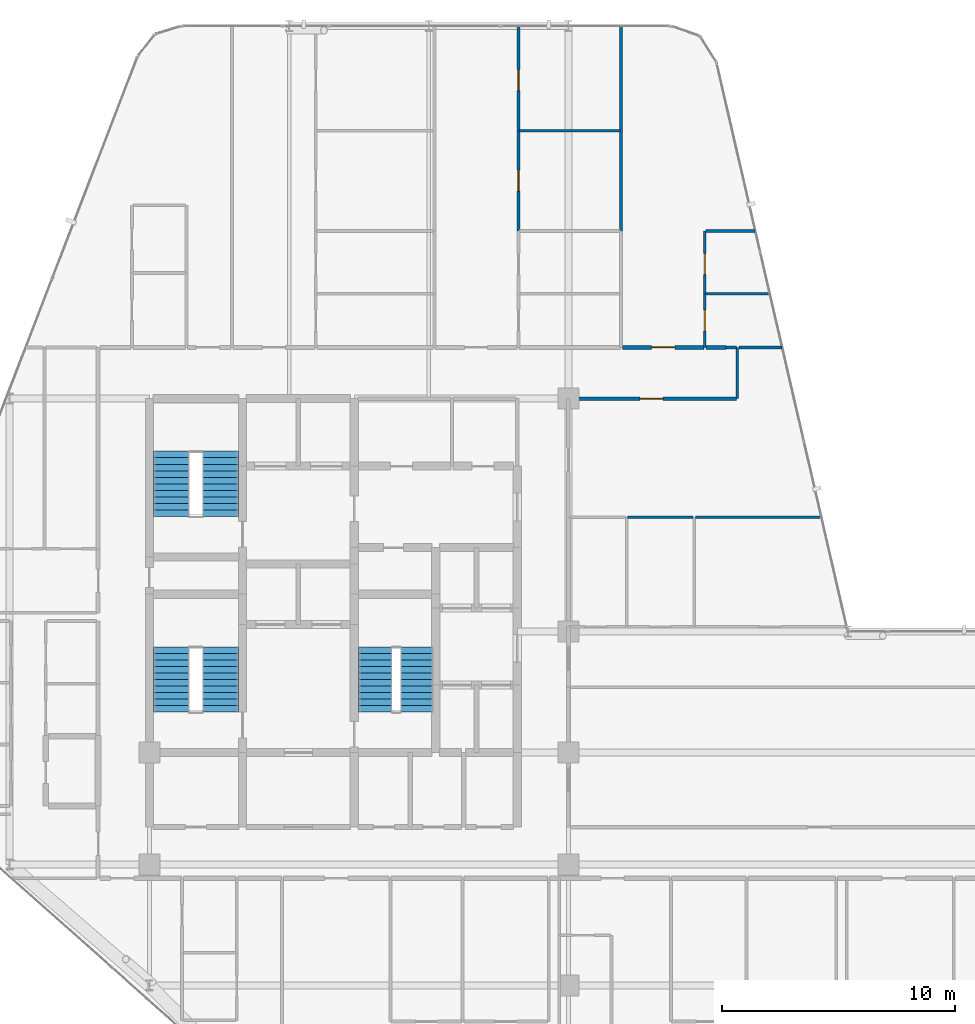
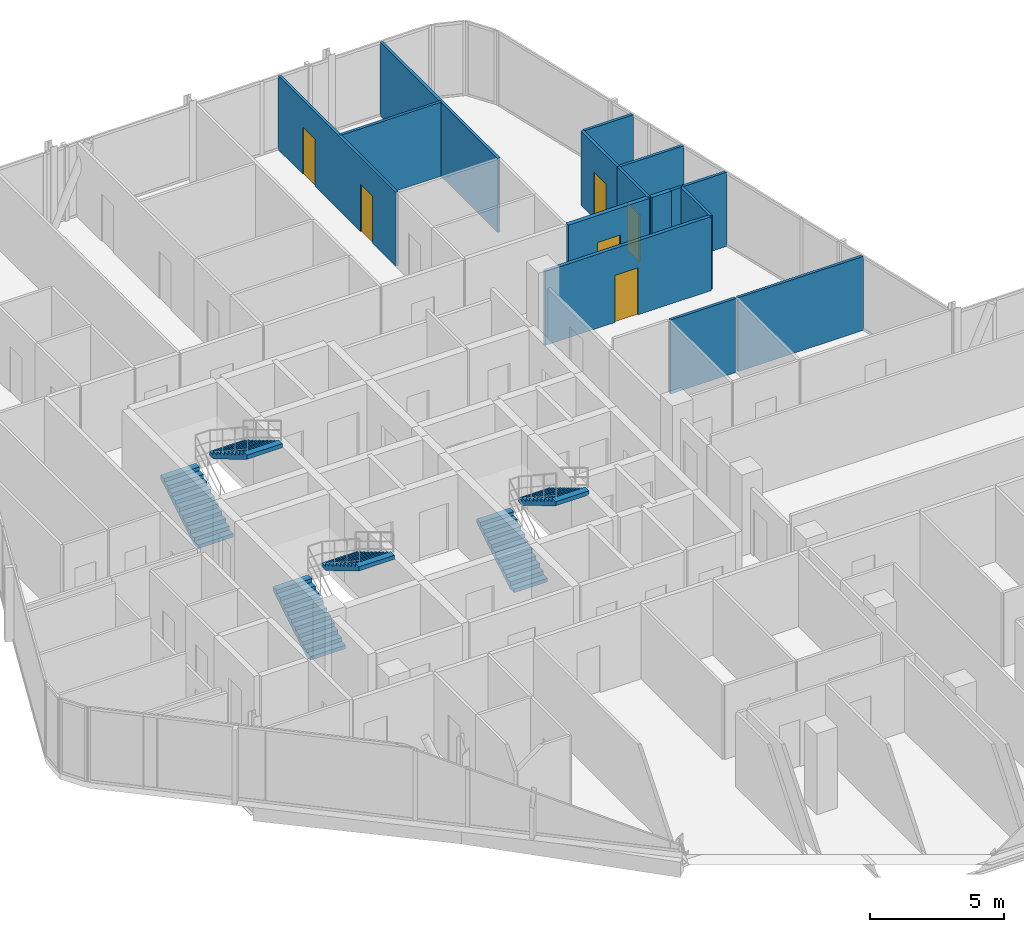
# One storey, part 28 of 29: 15 walls, 6 doors, 6 stair flights, 6 openings, 3 elements without a shape of their own.
"""IFC4 building model written with IfcOpenShell, lengths in metres."""

from ifc_helpers import new_model, si_unit, direction, frame, frame_2d, origin, place, context, subcontext, project, spatial, polyline, rectangle, outline, extrude, material, layer, layer_set, type_object, element, fill, aggregate, save


model = new_model("IFC4")

# Units and contexts
model_context = context("Model", 3, precision=1e-05, world=origin(), true_north=direction((0.0, 1.0)))
body_context = subcontext(model_context, "Body", "Model", "MODEL_VIEW")
ifc_project = project(units=[si_unit("LENGTHUNIT", "METRE"), si_unit("AREAUNIT", "SQUARE_METRE"), si_unit("VOLUMEUNIT", "CUBIC_METRE"), si_unit("PLANEANGLEUNIT", "RADIAN"), si_unit("MASSUNIT", "GRAM", prefix="KILO")], contexts=[model_context])

# Site, building, storey
site_placement = place(None, origin())
site = spatial("IfcSite", under=ifc_project, at=site_placement, CompositionType="ELEMENT")
building_placement = place(site_placement, origin())
building = spatial("IfcBuilding", under=site, at=building_placement, Name="Keshet Zoharim Tower", CompositionType="ELEMENT")
storey_placement = place(building_placement, frame((0.0, 0.0, 180.199951171875)))
storey = spatial("IfcBuildingStorey", under=building, at=storey_placement, Name="L44", CompositionType="ELEMENT", Elevation=180.199951171875)

# Wall, opening, door
ifc_material_1 = material(Name="Gypsum Plasterboard", Category="gypsum")
ifc_layer_1 = layer(ifc_material_1, 0.14990234375)
ifc_layer_set_1 = layer_set([ifc_layer_1], Name="Gypsum Plasterboard")
wall_type_1 = type_object("IfcWallType", Name="WL-CLIN-150", PredefinedType="STANDARD", material=ifc_layer_set_1)
wall_1_placement = place(storey_placement, frame((33.06005859375, 37.89990234375, 0.0), z_axis=(0.0, 0.0, 1.0), x_axis=(1.0, 0.0, 0.0)))
wall_1 = element("IfcWall", 1, at=wall_1_placement, inside=storey, type_object=wall_type_1, Name="L44 Interior Wall 182", PredefinedType="STANDARD", context=body_context, shape_type="SweptSolid", body=[
    extrude(rectangle(XDim=7.1640625, YDim=0.14990234375, at=frame_2d((3.58203125, 0.0))), origin(), (0.0, 0.0, 1.0), 3.380126953125),
])
opening_1_placement = place(wall_1_placement, frame((3.00390625, 0.0, 0.0)))
opening_1 = element("IfcOpeningElement", 2, at=opening_1_placement, cuts=wall_1, Name="Opening D-F310", PredefinedType="OPENING", context=body_context, shape_type="SweptSolid", body=[
    extrude(rectangle(XDim=1.0, YDim=2.14990234375, at=frame_2d((0.5, 1.074951171875))), frame((0.0, 0.0849609375, 0.0), z_axis=(0.0, -1.0, 0.0), x_axis=(1.0, 0.0, 0.0)), (0.0, 0.0, 1.0), 0.169921875),
])
ifc_material_2 = material(Name="Hardwood Timber", Category="wood")
door_type_1 = type_object("IfcDoorType", Name="DR-FD30-100", OperationType="NOTDEFINED", PredefinedType="DOOR", material=ifc_material_2)
door_1_placement = place(opening_1_placement, origin())
door_1 = element("IfcDoor", 3, at=door_1_placement, inside=storey, type_object=door_type_1, Name="L44 North West Residents Services Suite Door 1", OperationType="SINGLE_SWING_LEFT", OverallHeight=2.14990234375, OverallWidth=1.0, PredefinedType="DOOR", context=body_context, shape_type="SweptSolid", body=[
    extrude(rectangle(XDim=1.0, YDim=2.14990234375, at=frame_2d((0.5, 1.074951171875))), frame((0.0, 0.02490234375, 0.0), z_axis=(0.0, -1.0, 0.0), x_axis=(1.0, 0.0, 0.0)), (0.0, 0.0, 1.0), 0.050048828125),
])
fill(opening_1, door_1)

ifc_layer_2 = layer(ifc_material_1, 0.179931640625)
ifc_layer_set_2 = layer_set([ifc_layer_2], Name="Gypsum Plasterboard")
wall_type_2 = type_object("IfcWallType", Name="WL-CORR-180", PredefinedType="STANDARD", material=ifc_layer_set_2)
wall_2_placement = place(storey_placement, frame((35.31494140625, 40.10009765625, 0.0), z_axis=(0.0, 0.0, 1.0), x_axis=(1.0, 0.0, 0.0)))
wall_2 = element("IfcWall", 4, at=wall_2_placement, inside=storey, type_object=wall_type_2, Name="L44 Interior Wall 192", PredefinedType="STANDARD", context=body_context, shape_type="SweptSolid", body=[
    extrude(rectangle(XDim=3.510009765625, YDim=0.179931640625, at=frame_2d((1.7548828125, 0.0))), origin(), (0.0, 0.0, 1.0), 3.380126953125),
])
opening_2_placement = place(wall_2_placement, frame((1.2548828125, 0.0, 0.0)))
opening_2 = element("IfcOpeningElement", 5, at=opening_2_placement, cuts=wall_2, Name="Opening D-F310", PredefinedType="OPENING", context=body_context, shape_type="SweptSolid", body=[
    extrude(rectangle(XDim=1.0, YDim=2.14990234375, at=frame_2d((0.5, 1.074951171875))), frame((0.0, 0.10009765625, 0.0), z_axis=(0.0, -1.0, 0.0), x_axis=(1.0, 0.0, 0.0)), (0.0, 0.0, 1.0), 0.199951171875),
])
door_2_placement = place(opening_2_placement, origin())
door_2 = element("IfcDoor", 6, at=door_2_placement, inside=storey, type_object=door_type_1, Name="Apartment 4408 Entrance Door", OperationType="SINGLE_SWING_LEFT", OverallHeight=2.14990234375, OverallWidth=1.0, PredefinedType="DOOR", context=body_context, shape_type="SweptSolid", body=[
    extrude(rectangle(XDim=1.0, YDim=2.14990234375, at=frame_2d((0.5, 1.074951171875))), frame((0.0, 0.02490234375, 0.0), z_axis=(0.0, -1.0, 0.0), x_axis=(1.0, 0.0, 0.0)), (0.0, 0.0, 1.0), 0.050048828125),
])
fill(opening_2, door_2)

# Wall
wall_3_placement = place(storey_placement, frame((38.9150390625, 40.10009765625, 0.0), z_axis=(0.0, 0.0, 1.0), x_axis=(1.0, 0.0, 0.0)))
element("IfcWall", 7, at=wall_3_placement, inside=storey, type_object=wall_type_2, Name="L44 Interior Wall 193", PredefinedType="STANDARD", context=body_context, shape_type="SweptSolid", body=[
    extrude(rectangle(XDim=0.847900390625, YDim=0.179931640625, at=frame_2d((0.423828125, 0.0))), origin(), (0.0, 0.0, 1.0), 3.380126953125),
])

# Wall, openings, doors
ifc_layer_3 = layer(ifc_material_1, 0.1201171875)
ifc_layer_set_3 = layer_set([ifc_layer_3], Name="Gypsum Plasterboard")
wall_type_3 = type_object("IfcWallType", Name="WL-PART-120", PredefinedType="PARTITIONING", material=ifc_layer_set_3)
wall_4_placement = place(storey_placement, frame((30.85009765625, 45.10009765625, 0.0), z_axis=(0.0, 0.0, 1.0), x_axis=(0.0, 1.0, 0.0)))
wall_4 = element("IfcWall", 8, at=wall_4_placement, inside=storey, type_object=wall_type_3, Name="L44 Interior Wall 069", PredefinedType="PARTITIONING", context=body_context, shape_type="SweptSolid", body=[
    extrude(rectangle(XDim=8.789794921875, YDim=0.1201171875, at=frame_2d((4.39501953125, 0.0))), origin(), (0.0, 0.0, 1.0), 3.380126953125),
])
opening_3_placement = place(wall_4_placement, frame((1.7119140625, 0.0, 0.0)))
opening_3 = element("IfcOpeningElement", 9, at=opening_3_placement, cuts=wall_4, Name="Opening D-IN90", PredefinedType="OPENING", context=body_context, shape_type="SweptSolid", body=[
    extrude(rectangle(XDim=0.89990234375, YDim=2.14990234375, at=frame_2d((0.449951171875, 1.074951171875))), frame((0.0, 0.070068359375, 0.0), z_axis=(0.0, -1.0, 0.0), x_axis=(1.0, 0.0, 0.0)), (0.0, 0.0, 1.0), 0.14013671875),
])
opening_4_placement = place(wall_4_placement, frame((6.030029296875, 0.0, 0.0)))
opening_4 = element("IfcOpeningElement", 10, at=opening_4_placement, cuts=wall_4, Name="Opening D-IN90", PredefinedType="OPENING", context=body_context, shape_type="SweptSolid", body=[
    extrude(rectangle(XDim=0.89990234375, YDim=2.14990234375, at=frame_2d((0.449951171875, 1.074951171875))), frame((0.0, 0.070068359375, 0.0), z_axis=(0.0, -1.0, 0.0), x_axis=(1.0, 0.0, 0.0)), (0.0, 0.0, 1.0), 0.14013671875),
])
door_type_2 = type_object("IfcDoorType", Name="DR-INT-090", OperationType="NOTDEFINED", PredefinedType="DOOR", material=ifc_material_2)
door_3_placement = place(opening_3_placement, origin())
door_3 = element("IfcDoor", 11, at=door_3_placement, inside=storey, type_object=door_type_2, Name="Apartment 4407 Bedroom 1 Door", OperationType="SINGLE_SWING_LEFT", OverallHeight=2.14990234375, OverallWidth=0.89990234375, PredefinedType="DOOR", context=body_context, shape_type="SweptSolid", body=[
    extrude(rectangle(XDim=0.89990234375, YDim=2.14990234375, at=frame_2d((0.449951171875, 1.074951171875))), frame((0.0, 0.02490234375, 0.0), z_axis=(0.0, -1.0, 0.0), x_axis=(1.0, 0.0, 0.0)), (0.0, 0.0, 1.0), 0.050048828125),
])
fill(opening_3, door_3)
door_4_placement = place(opening_4_placement, origin())
door_4 = element("IfcDoor", 12, at=door_4_placement, inside=storey, type_object=door_type_2, Name="Apartment 4407 Bedroom 2 Door", OperationType="SINGLE_SWING_RIGHT", OverallHeight=2.14990234375, OverallWidth=0.89990234375, PredefinedType="DOOR", context=body_context, shape_type="SweptSolid", body=[
    extrude(rectangle(XDim=0.89990234375, YDim=2.14990234375, at=frame_2d((0.449951171875, 1.074951171875))), frame((0.0, 0.02490234375, 0.0), z_axis=(0.0, -1.0, 0.0), x_axis=(1.0, 0.0, 0.0)), (0.0, 0.0, 1.0), 0.050048828125),
])
fill(opening_4, door_4)

# Wall
wall_5_placement = place(storey_placement, frame((35.25, 45.10009765625, 0.0), z_axis=(0.0, 0.0, 1.0), x_axis=(0.0, 1.0, 0.0)))
element("IfcWall", 13, at=wall_5_placement, inside=storey, type_object=wall_type_3, Name="L44 Interior Wall 082", PredefinedType="PARTITIONING", context=body_context, shape_type="SweptSolid", body=[
    extrude(rectangle(XDim=8.789794921875, YDim=0.1201171875, at=frame_2d((4.39501953125, 0.0))), origin(), (0.0, 0.0, 1.0), 3.380126953125),
])

# Wall, opening, door
wall_6_placement = place(storey_placement, frame((38.85009765625, 40.10009765625, 0.0), z_axis=(0.0, 0.0, 1.0), x_axis=(0.0, 1.0, 0.0)))
wall_6 = element("IfcWall", 14, at=wall_6_placement, inside=storey, type_object=wall_type_3, Name="L44 Interior Wall 088", PredefinedType="PARTITIONING", context=body_context, shape_type="SweptSolid", body=[
    extrude(rectangle(XDim=2.2998046875, YDim=0.1201171875, at=frame_2d((1.14990234375, 0.0))), origin(), (0.0, 0.0, 1.0), 3.380126953125),
])
opening_5_placement = place(wall_6_placement, frame((0.699951171875, 0.0, 0.0)))
opening_5 = element("IfcOpeningElement", 15, at=opening_5_placement, cuts=wall_6, Name="Opening D-IN90", PredefinedType="OPENING", context=body_context, shape_type="SweptSolid", body=[
    extrude(rectangle(XDim=0.89990234375, YDim=2.14990234375, at=frame_2d((0.449951171875, 1.074951171875))), frame((0.0, 0.070068359375, 0.0), z_axis=(0.0, -1.0, 0.0), x_axis=(1.0, 0.0, 0.0)), (0.0, 0.0, 1.0), 0.14013671875),
])
door_5_placement = place(opening_5_placement, origin())
door_5 = element("IfcDoor", 16, at=door_5_placement, inside=storey, type_object=door_type_2, Name="Apartment 4408 Kitchen Door", OperationType="SINGLE_SWING_RIGHT", OverallHeight=2.14990234375, OverallWidth=0.89990234375, PredefinedType="DOOR", context=body_context, shape_type="SweptSolid", body=[
    extrude(rectangle(XDim=0.89990234375, YDim=2.14990234375, at=frame_2d((0.449951171875, 1.074951171875))), frame((0.0, 0.02490234375, 0.0), z_axis=(0.0, -1.0, 0.0), x_axis=(1.0, 0.0, 0.0)), (0.0, 0.0, 1.0), 0.050048828125),
])
fill(opening_5, door_5)

# Walls
wall_7_placement = place(storey_placement, frame((40.25, 37.89990234375, 0.0), z_axis=(0.0, 0.0, 1.0), x_axis=(0.0, 1.0, 0.0)))
element("IfcWall", 17, at=wall_7_placement, inside=storey, type_object=wall_type_3, Name="L44 Interior Wall 091", PredefinedType="PARTITIONING", context=body_context, shape_type="SweptSolid", body=[
    extrude(rectangle(XDim=2.2001953125, YDim=0.1201171875, at=frame_2d((1.10009765625, 0.0))), origin(), (0.0, 0.0, 1.0), 3.380126953125),
])
wall_8_placement = place(storey_placement, frame((38.445068359375, 32.800048828125, 0.0), z_axis=(0.0, 0.0, 1.0), x_axis=(1.0, 0.0, 0.0)))
element("IfcWall", 18, at=wall_8_placement, inside=storey, type_object=wall_type_3, Name="L44 Interior Wall 174", PredefinedType="PARTITIONING", context=body_context, shape_type="SweptSolid", body=[
    extrude(rectangle(XDim=5.413818359375, YDim=0.1201171875, at=frame_2d((2.70703125, 0.0))), origin(), (0.0, 0.0, 1.0), 3.380126953125),
])
wall_9_placement = place(storey_placement, frame((39.762939453125, 40.10009765625, 0.0), z_axis=(0.0, 0.0, 1.0), x_axis=(1.0, 0.0, 0.0)))
element("IfcWall", 19, at=wall_9_placement, inside=storey, type_object=wall_type_3, Name="L44 Interior Wall 194", PredefinedType="PARTITIONING", context=body_context, shape_type="SweptSolid", body=[
    extrude(rectangle(XDim=0.462158203125, YDim=0.1201171875, at=frame_2d((0.23095703125, 0.0))), origin(), (0.0, 0.0, 1.0), 3.380126953125),
])
wall_10_placement = place(storey_placement, frame((40.31494140625, 40.10009765625, 0.0), z_axis=(0.0, 0.0, 1.0), x_axis=(1.0, 0.0, 0.0)))
element("IfcWall", 20, at=wall_10_placement, inside=storey, type_object=wall_type_3, Name="L44 Interior Wall 195", PredefinedType="PARTITIONING", context=body_context, shape_type="SweptSolid", body=[
    extrude(rectangle(XDim=1.860107421875, YDim=0.1201171875, at=frame_2d((0.93017578125, 0.0))), origin(), (0.0, 0.0, 1.0), 3.380126953125),
])
wall_11_placement = place(storey_placement, frame((30.875, 49.39990234375, 0.0), z_axis=(0.0, 0.0, 1.0), x_axis=(1.0, 0.0, 0.0)))
element("IfcWall", 21, at=wall_11_placement, inside=storey, type_object=wall_type_3, Name="L44 Interior Wall 205", PredefinedType="PARTITIONING", context=body_context, shape_type="SweptSolid", body=[
    extrude(rectangle(XDim=4.35009765625, YDim=0.1201171875, at=frame_2d((2.175048828125, 0.0))), origin(), (0.0, 0.0, 1.0), 3.380126953125),
])

# Wall, opening, door
ifc_layer_4 = layer(ifc_material_1, 0.1201171875)
ifc_layer_set_4 = layer_set([ifc_layer_4], Name="Gypsum Plasterboard")
wall_type_4 = type_object("IfcWallType", Name="WL-WET-120", PredefinedType="PARTITIONING", material=ifc_layer_set_4)
wall_12_placement = place(storey_placement, frame((38.85009765625, 42.39990234375, 0.0), z_axis=(0.0, 0.0, 1.0), x_axis=(0.0, 1.0, 0.0)))
wall_12 = element("IfcWall", 22, at=wall_12_placement, inside=storey, type_object=wall_type_4, Name="L44 Interior Wall 089", PredefinedType="PARTITIONING", context=body_context, shape_type="SweptSolid", body=[
    extrude(rectangle(XDim=2.7001953125, YDim=0.1201171875, at=frame_2d((1.35009765625, 0.0))), origin(), (0.0, 0.0, 1.0), 3.380126953125),
])
opening_6_placement = place(wall_12_placement, frame((0.827880859375, 0.0, 0.0)))
opening_6 = element("IfcOpeningElement", 23, at=opening_6_placement, cuts=wall_12, Name="Opening D-WT90", PredefinedType="OPENING", context=body_context, shape_type="SweptSolid", body=[
    extrude(rectangle(XDim=0.89990234375, YDim=2.10009765625, at=frame_2d((0.449951171875, 1.050048828125))), frame((0.0, 0.070068359375, 0.0), z_axis=(0.0, -1.0, 0.0), x_axis=(1.0, 0.0, 0.0)), (0.0, 0.0, 1.0), 0.14013671875),
])
door_type_3 = type_object("IfcDoorType", Name="DR-WET-090", OperationType="NOTDEFINED", PredefinedType="DOOR", material=ifc_material_2)
door_6_placement = place(opening_6_placement, origin())
door_6 = element("IfcDoor", 24, at=door_6_placement, inside=storey, type_object=door_type_3, Name="Apartment 4408 Bathroom Door", OperationType="SINGLE_SWING_LEFT", OverallHeight=2.10009765625, OverallWidth=0.89990234375, PredefinedType="DOOR", context=body_context, shape_type="SweptSolid", body=[
    extrude(rectangle(XDim=0.89990234375, YDim=2.10009765625, at=frame_2d((0.449951171875, 1.050048828125))), frame((0.0, 0.02490234375, 0.0), z_axis=(0.0, -1.0, 0.0), x_axis=(1.0, 0.0, 0.0)), (0.0, 0.0, 1.0), 0.050048828125),
])
fill(opening_6, door_6)

# Walls
wall_13_placement = place(storey_placement, frame((35.529052734375, 32.800048828125, 0.0), z_axis=(0.0, 0.0, 1.0), x_axis=(1.0, 0.0, 0.0)))
element("IfcWall", 25, at=wall_13_placement, inside=storey, type_object=wall_type_4, Name="L44 Interior Wall 173", PredefinedType="PARTITIONING", context=body_context, shape_type="SweptSolid", body=[
    extrude(rectangle(XDim=2.825927734375, YDim=0.1201171875, at=frame_2d((1.4130859375, 0.0))), origin(), (0.0, 0.0, 1.0), 3.380126953125),
])
wall_14_placement = place(storey_placement, frame((38.9150390625, 42.39990234375, 0.0), z_axis=(0.0, 0.0, 1.0), x_axis=(1.0, 0.0, 0.0)))
element("IfcWall", 26, at=wall_14_placement, inside=storey, type_object=wall_type_4, Name="L44 Interior Wall 198", PredefinedType="PARTITIONING", context=body_context, shape_type="SweptSolid", body=[
    extrude(rectangle(XDim=2.72900390625, YDim=0.1201171875, at=frame_2d((1.364501953125, 0.0))), origin(), (0.0, 0.0, 1.0), 3.380126953125),
])
wall_15_placement = place(storey_placement, frame((38.9150390625, 45.10009765625, 0.0), z_axis=(0.0, 0.0, 1.0), x_axis=(1.0, 0.0, 0.0)))
element("IfcWall", 27, at=wall_15_placement, inside=storey, type_object=wall_type_4, Name="L44 Interior Wall 202", PredefinedType="PARTITIONING", context=body_context, shape_type="SweptSolid", body=[
    extrude(rectangle(XDim=2.10595703125, YDim=0.1201171875, at=frame_2d((1.052978515625, 0.0))), origin(), (0.0, 0.0, 1.0), 3.380126953125),
])

# Stair, stair flights
ifc_material_3 = material(Name="Concrete C50/60", Category="concrete")
stair_type = type_object("IfcStairType", Name="STR-EXIT-135", PredefinedType="HALF_TURN_STAIR", material=ifc_material_3)
stair_1_placement = place(storey_placement, origin())
stair_1 = element("IfcStair", 28, at=stair_1_placement, inside=storey, type_object=stair_type, Name="L44 Enclosed Exit Stair ST-01", PredefinedType="HALF_TURN_STAIR")
stair_flight_type_1 = type_object("IfcStairFlightType", Name="FLT-PRE-135", PredefinedType="STRAIGHT", material=ifc_material_3)
stair_flight_1_placement = place(storey_placement, frame((15.945068359375, 24.43994140625, 0.0), z_axis=(0.0, 0.0, 1.0), x_axis=(0.0, 1.0, 0.0)))
stair_flight_1 = element("IfcStairFlight", 29, at=stair_flight_1_placement, type_object=stair_flight_type_1, Name="ST-01 flight 1", NumberOfRisers=11, NumberOfTreads=10, PredefinedType="STRAIGHT", RiserHeight=0.168182, TreadLength=0.28, context=body_context, shape_type="SweptSolid", body=[
    extrude(outline(polyline([(0.0, 0.0), (0.0, 0.168212890625), (0.280029296875, 0.168212890625), (0.280029296875, 0.33642578125), (0.56005859375, 0.33642578125), (0.56005859375, 0.504638671875), (0.840087890625, 0.504638671875), (0.840087890625, 0.672607421875), (1.1201171875, 0.672607421875), (1.1201171875, 0.8408203125), (1.39990234375, 0.8408203125), (1.39990234375, 1.009033203125), (1.679931640625, 1.009033203125), (1.679931640625, 1.17724609375), (1.9599609375, 1.17724609375), (1.9599609375, 1.345458984375), (2.239990234375, 1.345458984375), (2.239990234375, 1.513671875), (2.52001953125, 1.513671875), (2.52001953125, 1.681884765625), (2.800048828125, 1.681884765625), (2.800048828125, 1.85009765625), (2.800048828125, 1.495361328125), (0.310546875, 0.0), (0.0, 0.0)])), frame((0.0, 0.76513671875, 0.0), z_axis=(0.0, -1.0, 0.0), x_axis=(1.0, 0.0, 0.0)), (0.0, 0.0, 1.0), 1.530029296875),
])
stair_flight_2_placement = place(storey_placement, frame((18.054931640625, 27.239990234375, 1.85009765625), z_axis=(0.0, 0.0, 1.0), x_axis=(0.0, -1.0, 0.0)))
stair_flight_2 = element("IfcStairFlight", 30, at=stair_flight_2_placement, type_object=stair_flight_type_1, Name="ST-01 flight 2", NumberOfRisers=11, NumberOfTreads=10, PredefinedType="STRAIGHT", RiserHeight=0.168182, TreadLength=0.28, context=body_context, shape_type="SweptSolid", body=[
    extrude(outline(polyline([(0.0, 0.0), (0.0, 0.168212890625), (0.280029296875, 0.168212890625), (0.280029296875, 0.33642578125), (0.56005859375, 0.33642578125), (0.56005859375, 0.504638671875), (0.840087890625, 0.504638671875), (0.840087890625, 0.672607421875), (1.1201171875, 0.672607421875), (1.1201171875, 0.8408203125), (1.39990234375, 0.8408203125), (1.39990234375, 1.009033203125), (1.679931640625, 1.009033203125), (1.679931640625, 1.17724609375), (1.9599609375, 1.17724609375), (1.9599609375, 1.345458984375), (2.239990234375, 1.345458984375), (2.239990234375, 1.513671875), (2.52001953125, 1.513671875), (2.52001953125, 1.681884765625), (2.800048828125, 1.681884765625), (2.800048828125, 1.85009765625), (2.800048828125, 1.495361328125), (0.310546875, 0.0), (0.0, 0.0)])), frame((0.0, 0.76513671875, 0.0), z_axis=(0.0, -1.0, 0.0), x_axis=(1.0, 0.0, 0.0)), (0.0, 0.0, 1.0), 1.530029296875),
])
aggregate(stair_1, [stair_flight_1, stair_flight_2])

stair_2_placement = place(storey_placement, origin())
stair_2 = element("IfcStair", 31, at=stair_2_placement, inside=storey, type_object=stair_type, Name="L44 Enclosed Exit Stair ST-02", PredefinedType="HALF_TURN_STAIR")
stair_flight_3_placement = place(storey_placement, frame((15.945068359375, 32.840087890625, 0.0), z_axis=(0.0, 0.0, 1.0), x_axis=(0.0, 1.0, 0.0)))
stair_flight_3 = element("IfcStairFlight", 32, at=stair_flight_3_placement, type_object=stair_flight_type_1, Name="ST-02 flight 1", NumberOfRisers=11, NumberOfTreads=10, PredefinedType="STRAIGHT", RiserHeight=0.168182, TreadLength=0.28, context=body_context, shape_type="SweptSolid", body=[
    extrude(outline(polyline([(0.0, 0.0), (0.0, 0.168212890625), (0.280029296875, 0.168212890625), (0.280029296875, 0.33642578125), (0.56005859375, 0.33642578125), (0.56005859375, 0.504638671875), (0.840087890625, 0.504638671875), (0.840087890625, 0.672607421875), (1.1201171875, 0.672607421875), (1.1201171875, 0.8408203125), (1.39990234375, 0.8408203125), (1.39990234375, 1.009033203125), (1.679931640625, 1.009033203125), (1.679931640625, 1.17724609375), (1.9599609375, 1.17724609375), (1.9599609375, 1.345458984375), (2.239990234375, 1.345458984375), (2.239990234375, 1.513671875), (2.52001953125, 1.513671875), (2.52001953125, 1.681884765625), (2.800048828125, 1.681884765625), (2.800048828125, 1.85009765625), (2.800048828125, 1.495361328125), (0.310546875, 0.0), (0.0, 0.0)])), frame((0.0, 0.76513671875, 0.0), z_axis=(0.0, -1.0, 0.0), x_axis=(1.0, 0.0, 0.0)), (0.0, 0.0, 1.0), 1.530029296875),
])
stair_flight_4_placement = place(storey_placement, frame((18.054931640625, 35.639892578125, 1.85009765625), z_axis=(0.0, 0.0, 1.0), x_axis=(0.0, -1.0, 0.0)))
stair_flight_4 = element("IfcStairFlight", 33, at=stair_flight_4_placement, type_object=stair_flight_type_1, Name="ST-02 flight 2", NumberOfRisers=11, NumberOfTreads=10, PredefinedType="STRAIGHT", RiserHeight=0.168182, TreadLength=0.28, context=body_context, shape_type="SweptSolid", body=[
    extrude(outline(polyline([(0.0, 0.0), (0.0, 0.168212890625), (0.280029296875, 0.168212890625), (0.280029296875, 0.33642578125), (0.56005859375, 0.33642578125), (0.56005859375, 0.504638671875), (0.840087890625, 0.504638671875), (0.840087890625, 0.672607421875), (1.1201171875, 0.672607421875), (1.1201171875, 0.8408203125), (1.39990234375, 0.8408203125), (1.39990234375, 1.009033203125), (1.679931640625, 1.009033203125), (1.679931640625, 1.17724609375), (1.9599609375, 1.17724609375), (1.9599609375, 1.345458984375), (2.239990234375, 1.345458984375), (2.239990234375, 1.513671875), (2.52001953125, 1.513671875), (2.52001953125, 1.681884765625), (2.800048828125, 1.681884765625), (2.800048828125, 1.85009765625), (2.800048828125, 1.495361328125), (0.310546875, 0.0), (0.0, 0.0)])), frame((0.0, 0.76513671875, 0.0), z_axis=(0.0, -1.0, 0.0), x_axis=(1.0, 0.0, 0.0)), (0.0, 0.0, 1.0), 1.530029296875),
])
aggregate(stair_2, [stair_flight_3, stair_flight_4])

stair_3_placement = place(storey_placement, origin())
stair_3 = element("IfcStair", 34, at=stair_3_placement, inside=storey, type_object=stair_type, Name="L44 Enclosed Exit Stair ST-03", PredefinedType="HALF_TURN_STAIR")
stair_flight_type_2 = type_object("IfcStairFlightType", Name="FLT-PRE-144", PredefinedType="STRAIGHT", material=ifc_material_3)
stair_flight_5_placement = place(storey_placement, frame((24.699951171875, 24.43994140625, 0.0), z_axis=(0.0, 0.0, 1.0), x_axis=(0.0, 1.0, 0.0)))
stair_flight_5 = element("IfcStairFlight", 35, at=stair_flight_5_placement, type_object=stair_flight_type_2, Name="ST-03 flight 1", NumberOfRisers=11, NumberOfTreads=10, PredefinedType="STRAIGHT", RiserHeight=0.168182, TreadLength=0.28, context=body_context, shape_type="SweptSolid", body=[
    extrude(outline(polyline([(0.0, 0.0), (0.0, 0.168212890625), (0.280029296875, 0.168212890625), (0.280029296875, 0.33642578125), (0.56005859375, 0.33642578125), (0.56005859375, 0.504638671875), (0.840087890625, 0.504638671875), (0.840087890625, 0.672607421875), (1.1201171875, 0.672607421875), (1.1201171875, 0.8408203125), (1.39990234375, 0.8408203125), (1.39990234375, 1.009033203125), (1.679931640625, 1.009033203125), (1.679931640625, 1.17724609375), (1.9599609375, 1.17724609375), (1.9599609375, 1.345458984375), (2.239990234375, 1.345458984375), (2.239990234375, 1.513671875), (2.52001953125, 1.513671875), (2.52001953125, 1.681884765625), (2.800048828125, 1.681884765625), (2.800048828125, 1.85009765625), (2.800048828125, 1.495361328125), (0.310546875, 0.0), (0.0, 0.0)])), frame((0.0, 0.719970703125, 0.0), z_axis=(0.0, -1.0, 0.0), x_axis=(1.0, 0.0, 0.0)), (0.0, 0.0, 1.0), 1.43994140625),
])
stair_flight_6_placement = place(storey_placement, frame((26.5, 27.239990234375, 1.85009765625), z_axis=(0.0, 0.0, 1.0), x_axis=(0.0, -1.0, 0.0)))
stair_flight_6 = element("IfcStairFlight", 36, at=stair_flight_6_placement, type_object=stair_flight_type_2, Name="ST-03 flight 2", NumberOfRisers=11, NumberOfTreads=10, PredefinedType="STRAIGHT", RiserHeight=0.168182, TreadLength=0.28, context=body_context, shape_type="SweptSolid", body=[
    extrude(outline(polyline([(0.0, 0.0), (0.0, 0.168212890625), (0.280029296875, 0.168212890625), (0.280029296875, 0.33642578125), (0.56005859375, 0.33642578125), (0.56005859375, 0.504638671875), (0.840087890625, 0.504638671875), (0.840087890625, 0.672607421875), (1.1201171875, 0.672607421875), (1.1201171875, 0.8408203125), (1.39990234375, 0.8408203125), (1.39990234375, 1.009033203125), (1.679931640625, 1.009033203125), (1.679931640625, 1.17724609375), (1.9599609375, 1.17724609375), (1.9599609375, 1.345458984375), (2.239990234375, 1.345458984375), (2.239990234375, 1.513671875), (2.52001953125, 1.513671875), (2.52001953125, 1.681884765625), (2.800048828125, 1.681884765625), (2.800048828125, 1.85009765625), (2.800048828125, 1.495361328125), (0.310546875, 0.0), (0.0, 0.0)])), frame((0.0, 0.719970703125, 0.0), z_axis=(0.0, -1.0, 0.0), x_axis=(1.0, 0.0, 0.0)), (0.0, 0.0, 1.0), 1.43994140625),
])
aggregate(stair_3, [stair_flight_5, stair_flight_6])

save(model, "model.ifc")
